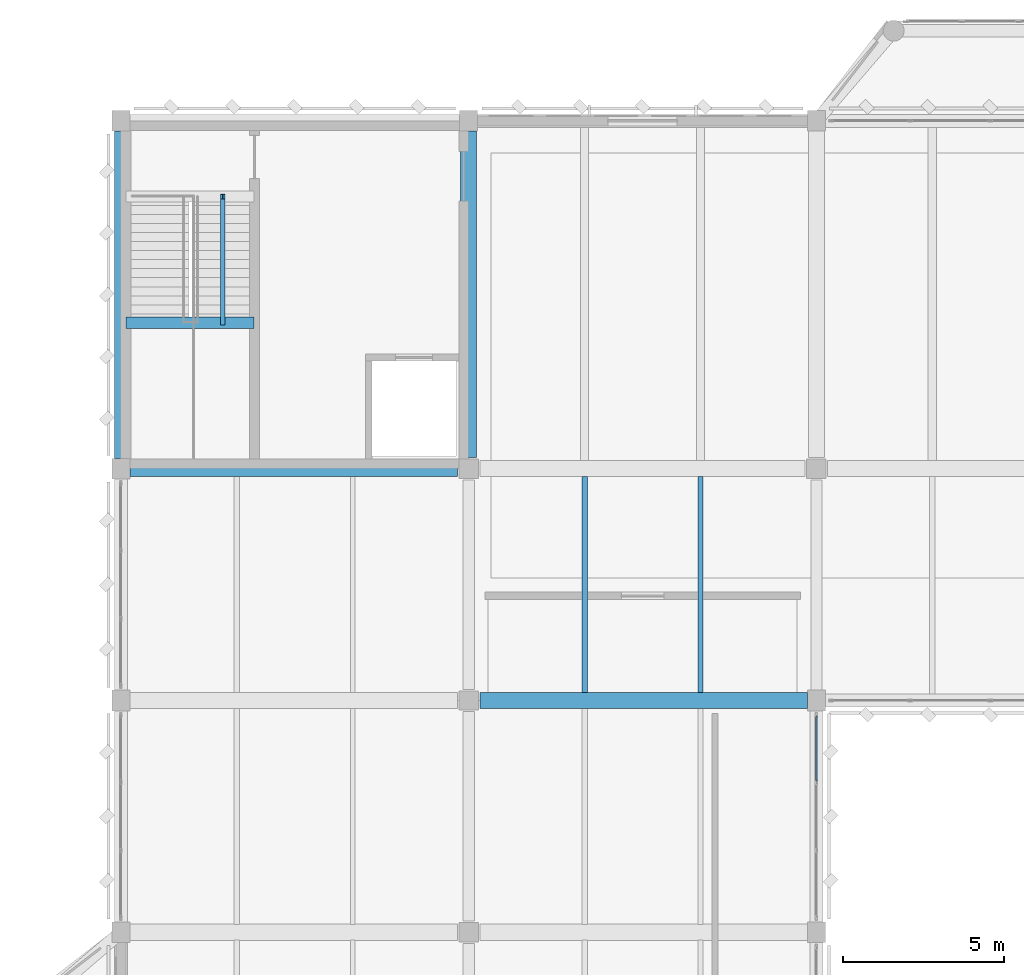
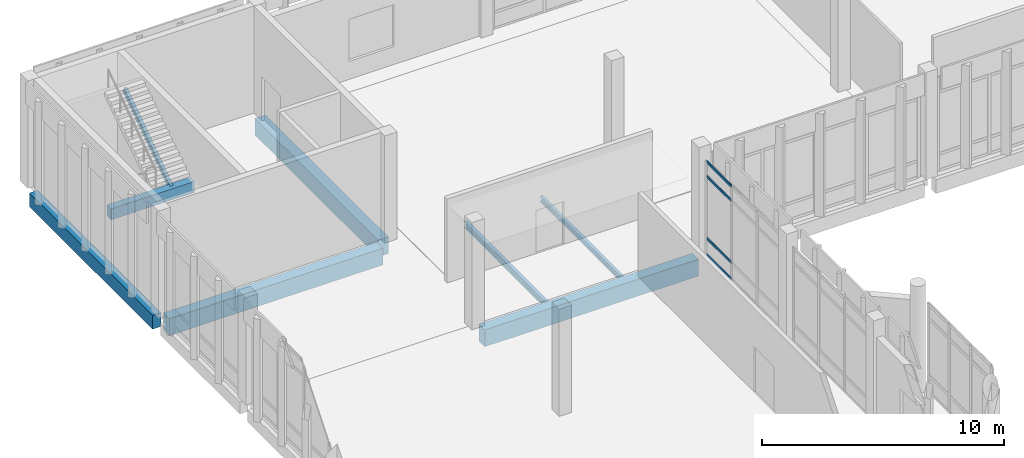
# One storey, part 67 of 180: 8 beams, 4 members, 1 element without a shape of its own.
"""IFC4 building model written with IfcOpenShell, lengths in metres."""

from ifc_helpers import new_model, si_unit, direction, frame, origin, origin_2d, place, context, subcontext, project, spatial, rectangle, hollow_rectangle, i_section, extrude, material, material_profile, profile_set, type_object, element, aggregate, save


model = new_model("IFC4")

# Units and contexts
model_context = context("Model", 3, precision=1e-05, world=origin(), true_north=direction((0.0, 1.0)))
body_context = subcontext(model_context, "Body", "Model", "MODEL_VIEW")
ifc_project = project(units=[si_unit("LENGTHUNIT", "METRE"), si_unit("AREAUNIT", "SQUARE_METRE"), si_unit("VOLUMEUNIT", "CUBIC_METRE"), si_unit("PLANEANGLEUNIT", "RADIAN"), si_unit("MASSUNIT", "GRAM", prefix="KILO")], contexts=[model_context])

# Site, building, storey
site_placement = place(None, origin())
site = spatial("IfcSite", under=ifc_project, at=site_placement, CompositionType="ELEMENT")
building_placement = place(site_placement, origin())
building = spatial("IfcBuilding", under=site, at=building_placement, Name="Lusvemor Sports Hall", CompositionType="ELEMENT")
storey_placement = place(building_placement, frame((0.0, 0.0, 5.39990234375)))
storey = spatial("IfcBuildingStorey", under=building, at=storey_placement, Name="L01", CompositionType="ELEMENT", Elevation=5.39990234375)

# Beam
ifc_material_1 = material(Name="Concrete C40/50", Category="concrete")
ifc_material_profile_1 = material_profile(ifc_material_1, rectangle(XDim=0.35009765625, YDim=0.550048828125, at=origin_2d()), Name="RC350x550")
ifc_profile_set_1 = profile_set([ifc_material_profile_1], Name="Concrete C40/50")
beam_type_1 = type_object("IfcBeamType", Name="BEAM_RC_550", PredefinedType="BEAM", material=ifc_profile_set_1)
beam_1_placement = place(storey_placement, frame((0.159912109375, 108.929931640625, 2.2451171875), z_axis=(1.0, 0.0, 0.0), x_axis=(0.0, 1.0, 0.0)))
element("IfcBeam", 1, at=beam_1_placement, inside=storey, type_object=beam_type_1, Name="Stair STR-C1-L01 Mid-Landing Beam", PredefinedType="BEAM", context=body_context, shape_type="SweptSolid", body=[
    extrude(rectangle(XDim=0.35009765625, YDim=0.550048828125, at=origin_2d()), origin(), (0.0, 0.0, 1.0), 3.97998046875),
])

# Curtain wall, members
ifc_material_2 = material(Name="Thermally broken bronze-anodized aluminium", Category="aluminium")
curtain_wall_type = type_object("IfcCurtainWallType", Name="CW_WING_B", PredefinedType="NOTDEFINED", material=ifc_material_2)
curtain_wall_placement = place(storey_placement, origin())
curtain_wall = element("IfcCurtainWall", 2, at=curtain_wall_placement, inside=storey, type_object=curtain_wall_type, Name="Curtain Wall CW-L01-E-4-6", PredefinedType="NOTDEFINED")
ifc_material_3 = material(Name="Thermally broken bronze-anodized aluminium", Category="aluminium")
ifc_material_profile_2 = material_profile(ifc_material_3, hollow_rectangle(XDim=0.06005859375, YDim=0.135009765625, WallThickness=0.00390625, InnerFilletRadius=0.00390625, OuterFilletRadius=0.008056640625, at=origin_2d()), Name="CWTRN135x60x4")
ifc_profile_set_2 = profile_set([ifc_material_profile_2], Name="Thermally broken bronze-anodized aluminium")
member_type = type_object("IfcMemberType", Name="CW_TRN_B", PredefinedType="USERDEFINED", material=ifc_profile_set_2)
member_1_placement = place(storey_placement, frame((21.60009765625, 96.715087890625, 0.030029296875), z_axis=(0.0, -1.0, 0.0), x_axis=(1.0, 0.0, 0.0)))
member_1 = element("IfcMember", 3, at=member_1_placement, type_object=member_type, Name="CW02 transom 1.1", ObjectType="TRANSOM", PredefinedType="USERDEFINED", context=body_context, shape_type="SweptSolid", body=[
    extrude(hollow_rectangle(XDim=0.06005859375, YDim=0.135009765625, WallThickness=0.00390625, InnerFilletRadius=0.00390625, OuterFilletRadius=0.008056640625, at=origin_2d()), origin(), (0.0, 0.0, 1.0), 2.022705078125),
])
member_2_placement = place(storey_placement, frame((21.60009765625, 96.715087890625, 0.85009765625), z_axis=(0.0, -1.0, 0.0), x_axis=(1.0, 0.0, 0.0)))
member_2 = element("IfcMember", 4, at=member_2_placement, type_object=member_type, Name="CW02 transom 1.2", ObjectType="TRANSOM", PredefinedType="USERDEFINED", context=body_context, shape_type="SweptSolid", body=[
    extrude(hollow_rectangle(XDim=0.06005859375, YDim=0.135009765625, WallThickness=0.00390625, InnerFilletRadius=0.00390625, OuterFilletRadius=0.008056640625, at=origin_2d()), origin(), (0.0, 0.0, 1.0), 2.022705078125),
])
member_3_placement = place(storey_placement, frame((21.60009765625, 96.715087890625, 3.97021484375), z_axis=(0.0, -1.0, 0.0), x_axis=(1.0, 0.0, 0.0)))
member_3 = element("IfcMember", 5, at=member_3_placement, type_object=member_type, Name="CW02 transom 1.3", ObjectType="TRANSOM", PredefinedType="USERDEFINED", context=body_context, shape_type="SweptSolid", body=[
    extrude(hollow_rectangle(XDim=0.06005859375, YDim=0.135009765625, WallThickness=0.00390625, InnerFilletRadius=0.00390625, OuterFilletRadius=0.008056640625, at=origin_2d()), origin(), (0.0, 0.0, 1.0), 2.022705078125),
])
member_4_placement = place(storey_placement, frame((21.60009765625, 96.715087890625, 4.690185546875), z_axis=(0.0, -1.0, 0.0), x_axis=(1.0, 0.0, 0.0)))
member_4 = element("IfcMember", 6, at=member_4_placement, type_object=member_type, Name="CW02 transom 1.4", ObjectType="TRANSOM", PredefinedType="USERDEFINED", context=body_context, shape_type="SweptSolid", body=[
    extrude(hollow_rectangle(XDim=0.06005859375, YDim=0.135009765625, WallThickness=0.00390625, InnerFilletRadius=0.00390625, OuterFilletRadius=0.008056640625, at=origin_2d()), origin(), (0.0, 0.0, 1.0), 2.022705078125),
])
aggregate(curtain_wall, [member_1, member_2, member_3, member_4])

# Beams
ifc_material_4 = material(Name="Concrete C40/50", Category="concrete")
ifc_material_profile_3 = material_profile(ifc_material_4, rectangle(XDim=0.5, YDim=0.85009765625, at=origin_2d()), Name="RC500x850")
ifc_profile_set_3 = profile_set([ifc_material_profile_3], Name="Concrete C40/50")
beam_type_2 = type_object("IfcBeamType", Name="GIRD_RC_850", PredefinedType="T_BEAM", material=ifc_profile_set_3)
beam_2_placement = place(storey_placement, frame((11.14599609375, 97.199951171875, -0.684814453125), z_axis=(1.0, 0.0, 0.0), x_axis=(0.0, 1.0, 0.0)))
element("IfcBeam", 7, at=beam_2_placement, inside=storey, type_object=beam_type_2, Name="Beam L01 N:2-3", PredefinedType="T_BEAM", context=body_context, shape_type="SweptSolid", body=[
    extrude(rectangle(XDim=0.5, YDim=0.85009765625, at=origin_2d()), origin(), (0.0, 0.0, 1.0), 10.177978515625),
])
beam_3_placement = place(storey_placement, frame((0.27587890625, 104.39990234375, -0.684814453125), z_axis=(1.0, 0.0, 0.0), x_axis=(0.0, 1.0, 0.0)))
element("IfcBeam", 8, at=beam_3_placement, inside=storey, type_object=beam_type_2, Name="Beam L01 P:1-2", PredefinedType="T_BEAM", context=body_context, shape_type="SweptSolid", body=[
    extrude(rectangle(XDim=0.5, YDim=0.85009765625, at=origin_2d()), origin(), (0.0, 0.0, 1.0), 10.17822265625),
])
beam_4_placement = place(storey_placement, frame((10.800048828125, 104.74609375, -0.684814453125), z_axis=(0.0, 1.0, 0.0), x_axis=(-1.0, 0.0, 0.0)))
element("IfcBeam", 9, at=beam_4_placement, inside=storey, type_object=beam_type_2, Name="Beam L01 2:P-Q", PredefinedType="T_BEAM", context=body_context, shape_type="SweptSolid", body=[
    extrude(rectangle(XDim=0.5, YDim=0.85009765625, at=origin_2d()), origin(), (0.0, 0.0, 1.0), 10.137939453125),
])
ifc_material_5 = material(Name="Steel S355", Category="steel")
ifc_material_profile_4 = material_profile(ifc_material_5, i_section(OverallWidth=0.14794921875, OverallDepth=0.26611328125, WebThickness=0.007568359375, FlangeThickness=0.012939453125, FilletRadius=0.012939453125, at=origin_2d()), Name="W250x44.8")
ifc_profile_set_4 = profile_set([ifc_material_profile_4], Name="Steel S355")
beam_type_3 = type_object("IfcBeamType", Name="JOIST_ST_250M", PredefinedType="JOIST", material=ifc_profile_set_4)
beam_5_placement = place(storey_placement, frame((18.0, 97.446044921875, -0.39697265625), z_axis=(0.0, 1.0, 0.0), x_axis=(-1.0, 0.0, 0.0)))
element("IfcBeam", 10, at=beam_5_placement, inside=storey, type_object=beam_type_3, Name="Secondary Joist L01 2-3/N-P #2", PredefinedType="JOIST", context=body_context, shape_type="SweptSolid", body=[
    extrude(i_section(OverallWidth=0.14794921875, OverallDepth=0.26611328125, WebThickness=0.007568359375, FlangeThickness=0.012939453125, FilletRadius=0.012939453125, at=origin_2d()), origin(), (0.0, 0.0, 1.0), 6.7080078125),
])
beam_6_placement = place(storey_placement, frame((3.159912109375, 108.929931640625, 2.35498046875), z_axis=(0.0, 0.82354327477, 0.567253448276), x_axis=(-1.0, 0.0, 0.0)))
element("IfcBeam", 11, at=beam_6_placement, inside=storey, type_object=beam_type_3, Name="Stair STR-C1-L01 Flight 2 Stringer Beam", PredefinedType="JOIST", context=body_context, shape_type="SweptSolid", body=[
    extrude(i_section(OverallWidth=0.14794921875, OverallDepth=0.26611328125, WebThickness=0.007568359375, FlangeThickness=0.012939453125, FilletRadius=0.012939453125, at=origin_2d()), origin(), (0.0, 0.0, 1.0), 4.760009765625),
])
ifc_material_6 = material(Name="Steel S355", Category="steel")
ifc_material_profile_5 = material_profile(ifc_material_6, i_section(OverallWidth=0.1669921875, OverallDepth=0.31689453125, WebThickness=0.007568359375, FlangeThickness=0.01318359375, FilletRadius=0.014892578125, at=origin_2d()), Name="W310x52.0")
ifc_profile_set_5 = profile_set([ifc_material_profile_5], Name="Steel S355")
beam_type_4 = type_object("IfcBeamType", Name="JOIST_ST_310M", PredefinedType="JOIST", material=ifc_profile_set_5)
beam_7_placement = place(storey_placement, frame((14.39990234375, 97.446044921875, -0.42236328125), z_axis=(0.0, 1.0, 0.0), x_axis=(-1.0, 0.0, 0.0)))
element("IfcBeam", 12, at=beam_7_placement, inside=storey, type_object=beam_type_4, Name="Secondary Joist L01 2-3/N-P #1", PredefinedType="JOIST", context=body_context, shape_type="SweptSolid", body=[
    extrude(i_section(OverallWidth=0.1669921875, OverallDepth=0.31689453125, WebThickness=0.007568359375, FlangeThickness=0.01318359375, FilletRadius=0.014892578125, at=origin_2d()), origin(), (0.0, 0.0, 1.0), 6.7080078125),
])
ifc_material_7 = material(Name="Concrete C40/50", Category="concrete")
ifc_material_profile_6 = material_profile(ifc_material_7, rectangle(XDim=0.39990234375, YDim=0.699951171875, at=origin_2d()), Name="RC400x700")
ifc_profile_set_6 = profile_set([ifc_material_profile_6], Name="Concrete C40/50")
beam_type_5 = type_object("IfcBeamType", Name="SPAND_EXT_700", PredefinedType="SPANDREL", material=ifc_profile_set_6)
beam_8_placement = place(storey_placement, frame((0.0, 104.716064453125, -0.60986328125), z_axis=(0.0, 1.0, 0.0), x_axis=(-1.0, 0.0, 0.0)))
element("IfcBeam", 13, at=beam_8_placement, inside=storey, type_object=beam_type_5, Name="Beam L01 1:P-Q", PredefinedType="SPANDREL", context=body_context, shape_type="SweptSolid", body=[
    extrude(rectangle(XDim=0.39990234375, YDim=0.699951171875, at=origin_2d()), origin(), (0.0, 0.0, 1.0), 10.16796875),
])

save(model, "model.ifc")
